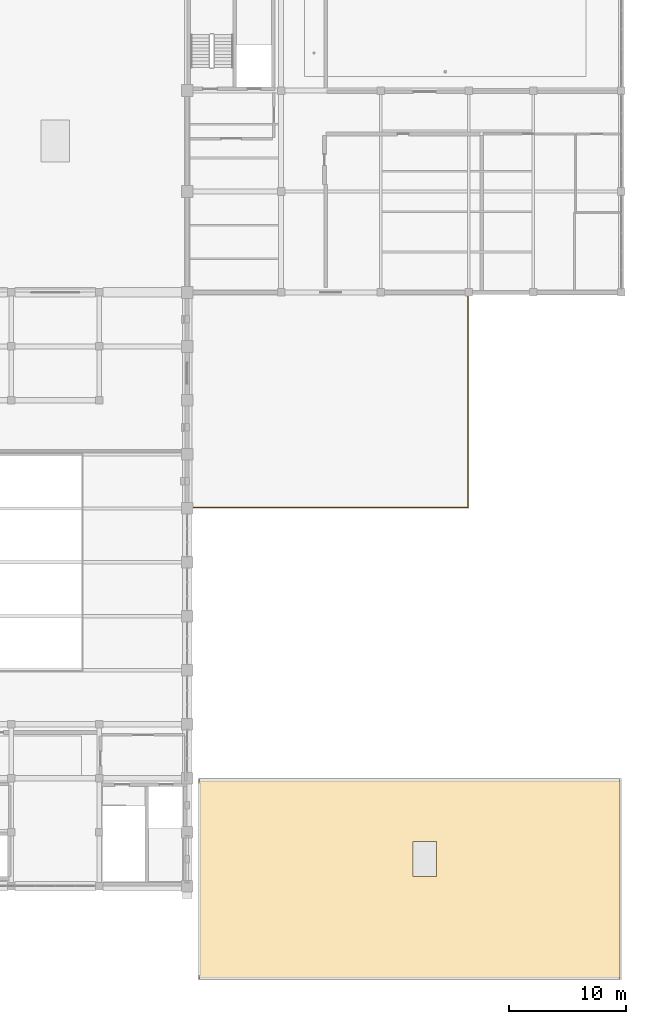
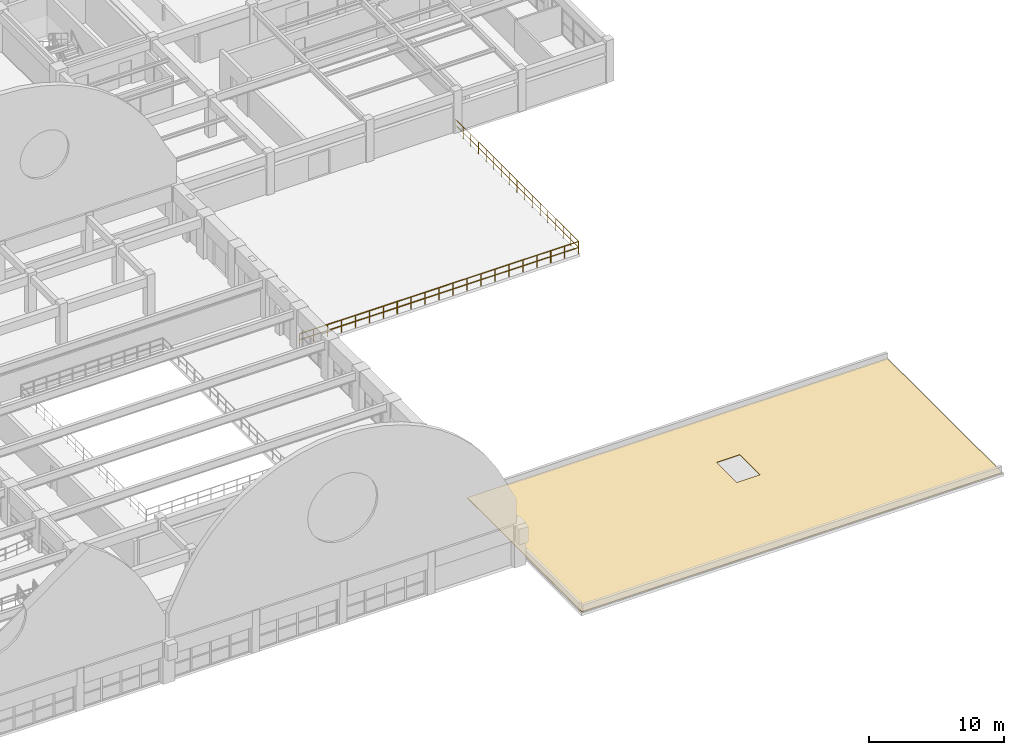
# One storey, part 73 of 74: 2 railings, 1 covering.
"""IFC4 building model written with IfcOpenShell, lengths in metres."""

from ifc_helpers import new_model, si_unit, direction, frame, origin, origin_2d, place, context, subcontext, project, spatial, polyline, circle, outline, extrude, material, layer, layer_set, type_object, element, save


model = new_model("IFC4")

# Units and contexts
model_context = context("Model", 3, precision=1e-05, world=origin(), true_north=direction((0.0, 1.0)))
body_context = subcontext(model_context, "Body", "Model", "MODEL_VIEW")
ifc_project = project(units=[si_unit("LENGTHUNIT", "METRE"), si_unit("AREAUNIT", "SQUARE_METRE"), si_unit("VOLUMEUNIT", "CUBIC_METRE"), si_unit("PLANEANGLEUNIT", "RADIAN"), si_unit("MASSUNIT", "GRAM", prefix="KILO")], contexts=[model_context])

# Site, building, storey
site_placement = place(None, origin())
site = spatial("IfcSite", under=ifc_project, at=site_placement, CompositionType="ELEMENT")
building_placement = place(site_placement, origin())
building = spatial("IfcBuilding", under=site, at=building_placement, Name="Muzn Square Opera House", CompositionType="ELEMENT")
storey_placement = place(building_placement, frame((0.0, 0.0, 14.199951171875)))
storey = spatial("IfcBuildingStorey", under=building, at=storey_placement, Name="L03", CompositionType="ELEMENT", Elevation=14.199951171875)

# Railings
ifc_material_1 = material(Name="Architectural bronze mashrabiya", Category="metal")
railing_type = type_object("IfcRailingType", Name="Bronze Protective Balustrade 1120mm", PredefinedType="BALUSTRADE", material=ifc_material_1)
railing_1_placement = place(storey_placement, frame((133.080078125, 54.280029296875, 0.0)))
element("IfcRailing", 1, at=railing_1_placement, inside=storey, type_object=railing_type, Name="East Sunset Terrace Balustrade L03-0183", PredefinedType="BALUSTRADE", context=body_context, shape_type="SweptSolid", body=[
    extrude(circle(Radius=0.02392578125, at=origin_2d()), frame((0.0, 0.0, 1.09619140625), z_axis=(1.0, 0.0, 0.0), x_axis=(0.0, 1.0, 0.0)), (0.0, 0.0, 1.0), 23.83984375),
    extrude(circle(Radius=0.02392578125, at=origin_2d()), frame((0.0, 0.0, 0.56005859375), z_axis=(1.0, 0.0, 0.0), x_axis=(0.0, 1.0, 0.0)), (0.0, 0.0, 1.0), 23.83984375),
    extrude(circle(Radius=0.02099609375, at=origin_2d()), origin(), (0.0, 0.0, 1.0), 1.072021484375),
    extrude(circle(Radius=0.02099609375, at=origin_2d()), frame((1.19189453125, 0.0, 0.0)), (0.0, 0.0, 1.0), 1.072021484375),
    extrude(circle(Radius=0.02099609375, at=origin_2d()), frame((2.384033203125, 0.0, 0.0)), (0.0, 0.0, 1.0), 1.072021484375),
    extrude(circle(Radius=0.02099609375, at=origin_2d()), frame((3.575927734375, 0.0, 0.0)), (0.0, 0.0, 1.0), 1.072021484375),
    extrude(circle(Radius=0.02099609375, at=origin_2d()), frame((4.76806640625, 0.0, 0.0)), (0.0, 0.0, 1.0), 1.072021484375),
    extrude(circle(Radius=0.02099609375, at=origin_2d()), frame((5.9599609375, 0.0, 0.0)), (0.0, 0.0, 1.0), 1.072021484375),
    extrude(circle(Radius=0.02099609375, at=origin_2d()), frame((7.15185546875, 0.0, 0.0)), (0.0, 0.0, 1.0), 1.072021484375),
    extrude(circle(Radius=0.02099609375, at=origin_2d()), frame((8.343994140625, 0.0, 0.0)), (0.0, 0.0, 1.0), 1.072021484375),
    extrude(circle(Radius=0.02099609375, at=origin_2d()), frame((9.535888671875, 0.0, 0.0)), (0.0, 0.0, 1.0), 1.072021484375),
    extrude(circle(Radius=0.02099609375, at=origin_2d()), frame((10.72802734375, 0.0, 0.0)), (0.0, 0.0, 1.0), 1.072021484375),
    extrude(circle(Radius=0.02099609375, at=origin_2d()), frame((11.919921875, 0.0, 0.0)), (0.0, 0.0, 1.0), 1.072021484375),
    extrude(circle(Radius=0.02099609375, at=origin_2d()), frame((13.11181640625, 0.0, 0.0)), (0.0, 0.0, 1.0), 1.072021484375),
    extrude(circle(Radius=0.02099609375, at=origin_2d()), frame((14.303955078125, 0.0, 0.0)), (0.0, 0.0, 1.0), 1.072021484375),
    extrude(circle(Radius=0.02099609375, at=origin_2d()), frame((15.495849609375, 0.0, 0.0)), (0.0, 0.0, 1.0), 1.072021484375),
    extrude(circle(Radius=0.02099609375, at=origin_2d()), frame((16.68798828125, 0.0, 0.0)), (0.0, 0.0, 1.0), 1.072021484375),
    extrude(circle(Radius=0.02099609375, at=origin_2d()), frame((17.8798828125, 0.0, 0.0)), (0.0, 0.0, 1.0), 1.072021484375),
    extrude(circle(Radius=0.02099609375, at=origin_2d()), frame((19.07177734375, 0.0, 0.0)), (0.0, 0.0, 1.0), 1.072021484375),
    extrude(circle(Radius=0.02099609375, at=origin_2d()), frame((20.263916015625, 0.0, 0.0)), (0.0, 0.0, 1.0), 1.072021484375),
    extrude(circle(Radius=0.02099609375, at=origin_2d()), frame((21.455810546875, 0.0, 0.0)), (0.0, 0.0, 1.0), 1.072021484375),
    extrude(circle(Radius=0.02099609375, at=origin_2d()), frame((22.64794921875, 0.0, 0.0)), (0.0, 0.0, 1.0), 1.072021484375),
    extrude(circle(Radius=0.02099609375, at=origin_2d()), frame((23.83984375, 0.0, 0.0)), (0.0, 0.0, 1.0), 1.072021484375),
])
railing_2_placement = place(storey_placement, frame((156.919921875, 54.280029296875, 0.0)))
element("IfcRailing", 2, at=railing_2_placement, inside=storey, type_object=railing_type, Name="East Sunset Terrace Balustrade L03-0184", PredefinedType="BALUSTRADE", context=body_context, shape_type="SweptSolid", body=[
    extrude(circle(Radius=0.02392578125, at=origin_2d()), frame((0.0, 0.0, 1.09619140625), z_axis=(0.0, 1.0, 0.0), x_axis=(-1.0, 0.0, 0.0)), (0.0, 0.0, 1.0), 18.239990234375),
    extrude(circle(Radius=0.02392578125, at=origin_2d()), frame((0.0, 0.0, 0.56005859375), z_axis=(0.0, 1.0, 0.0), x_axis=(-1.0, 0.0, 0.0)), (0.0, 0.0, 1.0), 18.239990234375),
    extrude(circle(Radius=0.02099609375, at=origin_2d()), origin(), (0.0, 0.0, 1.0), 1.072021484375),
    extrude(circle(Radius=0.02099609375, at=origin_2d()), frame((0.0, 1.139892578125, 0.0)), (0.0, 0.0, 1.0), 1.072021484375),
    extrude(circle(Radius=0.02099609375, at=origin_2d()), frame((0.0, 2.280029296875, 0.0)), (0.0, 0.0, 1.0), 1.072021484375),
    extrude(circle(Radius=0.02099609375, at=origin_2d()), frame((0.0, 3.419921875, 0.0)), (0.0, 0.0, 1.0), 1.072021484375),
    extrude(circle(Radius=0.02099609375, at=origin_2d()), frame((0.0, 4.56005859375, 0.0)), (0.0, 0.0, 1.0), 1.072021484375),
    extrude(circle(Radius=0.02099609375, at=origin_2d()), frame((0.0, 5.699951171875, 0.0)), (0.0, 0.0, 1.0), 1.072021484375),
    extrude(circle(Radius=0.02099609375, at=origin_2d()), frame((0.0, 6.840087890625, 0.0)), (0.0, 0.0, 1.0), 1.072021484375),
    extrude(circle(Radius=0.02099609375, at=origin_2d()), frame((0.0, 7.97998046875, 0.0)), (0.0, 0.0, 1.0), 1.072021484375),
    extrude(circle(Radius=0.02099609375, at=origin_2d()), frame((0.0, 9.1201171875, 0.0)), (0.0, 0.0, 1.0), 1.072021484375),
    extrude(circle(Radius=0.02099609375, at=origin_2d()), frame((0.0, 10.260009765625, 0.0)), (0.0, 0.0, 1.0), 1.072021484375),
    extrude(circle(Radius=0.02099609375, at=origin_2d()), frame((0.0, 11.39990234375, 0.0)), (0.0, 0.0, 1.0), 1.072021484375),
    extrude(circle(Radius=0.02099609375, at=origin_2d()), frame((0.0, 12.5400390625, 0.0)), (0.0, 0.0, 1.0), 1.072021484375),
    extrude(circle(Radius=0.02099609375, at=origin_2d()), frame((0.0, 13.679931640625, 0.0)), (0.0, 0.0, 1.0), 1.072021484375),
    extrude(circle(Radius=0.02099609375, at=origin_2d()), frame((0.0, 14.820068359375, 0.0)), (0.0, 0.0, 1.0), 1.072021484375),
    extrude(circle(Radius=0.02099609375, at=origin_2d()), frame((0.0, 15.9599609375, 0.0)), (0.0, 0.0, 1.0), 1.072021484375),
    extrude(circle(Radius=0.02099609375, at=origin_2d()), frame((0.0, 17.10009765625, 0.0)), (0.0, 0.0, 1.0), 1.072021484375),
    extrude(circle(Radius=0.02099609375, at=origin_2d()), frame((0.0, 18.239990234375, 0.0)), (0.0, 0.0, 1.0), 1.072021484375),
])

# Covering
ifc_material_2 = material(Name="Insulated roof membrane")
ifc_layer = layer(ifc_material_2, 0.050048828125, Name="Insulated roof membrane")
ifc_layer_set = layer_set([ifc_layer], Name="Insulated roof membrane")
covering_type = type_object("IfcCoveringType", Name="Insulated Flat Roof Membrane", PredefinedType="ROOFING", material=ifc_layer_set)
covering_placement = place(storey_placement, origin())
element("IfcCovering", 3, at=covering_placement, inside=storey, type_object=covering_type, Name="Flat Roof Membrane ROOF-L03-ESOUTH", PredefinedType="ROOFING", context=body_context, shape_type="SweptSolid", body=[
    extrude(outline(polyline([(134.0, 14.10009765625), (169.89990234375, 14.10009765625), (169.89990234375, 31.10009765625), (134.0, 31.10009765625), (134.0, 14.10009765625)]), holes=[polyline([(152.25, 22.800048828125), (154.25, 22.800048828125), (154.25, 25.800048828125), (152.25, 25.800048828125), (152.25, 22.800048828125)])]), origin(), (0.0, 0.0, 1.0), 0.050048828125),
])

save(model, "model.ifc")
